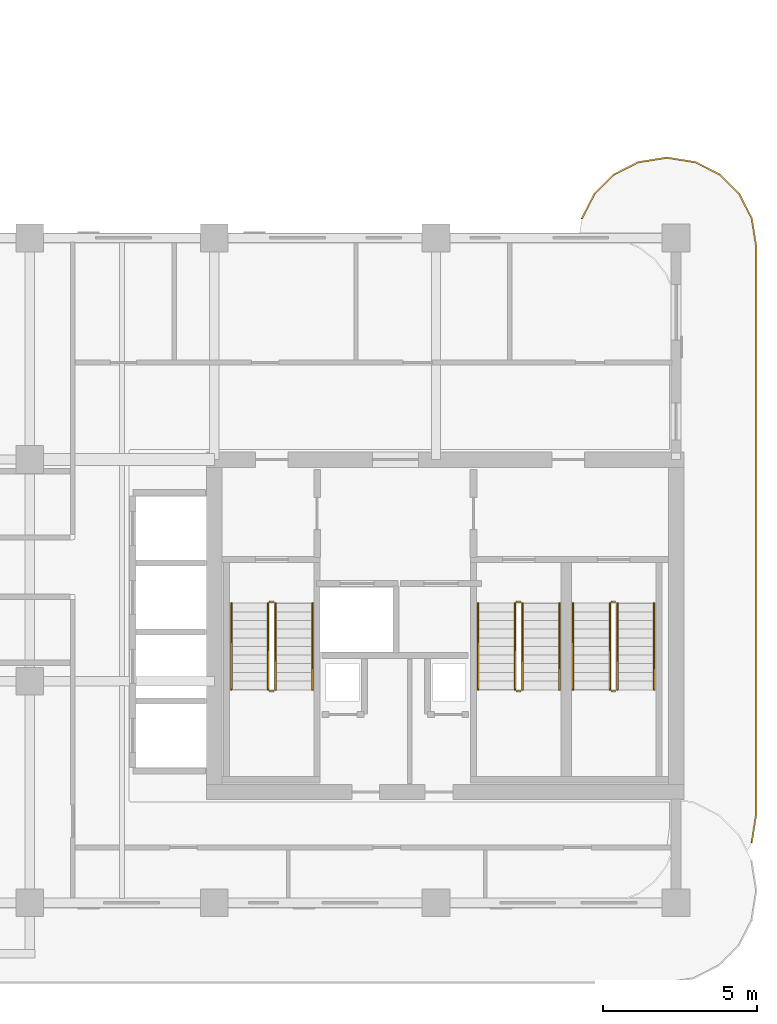
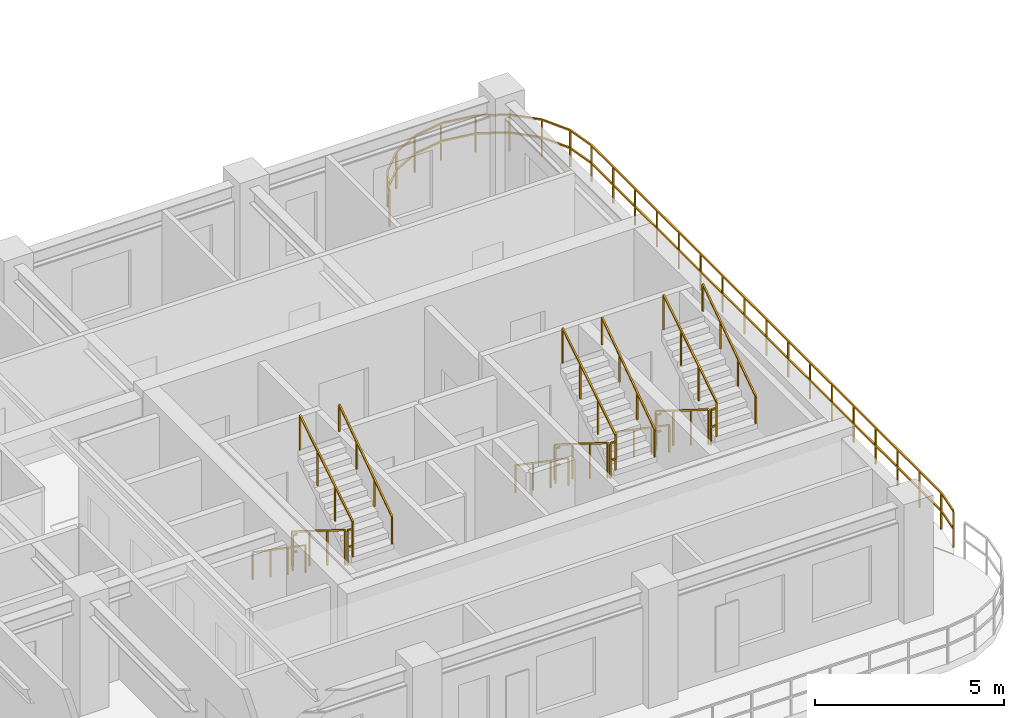
# One storey, part 13 of 14: 19 railings.
"""IFC4 building model written with IfcOpenShell, lengths in metres."""

from ifc_helpers import new_model, si_unit, derived_unit, direction, frame, origin, origin_2d, place, context, subcontext, project, spatial, rectangle, extrude, material, type_object, element, save


model = new_model("IFC4")

# Units and contexts
model_context = context("Model", 3, precision=1e-05, world=origin(), true_north=direction((0.0, 1.0)))
body_context = subcontext(model_context, "Body", "Model", "MODEL_VIEW")
ifc_project = project(units=[si_unit("LENGTHUNIT", "METRE"), si_unit("AREAUNIT", "SQUARE_METRE"), si_unit("VOLUMEUNIT", "CUBIC_METRE"), si_unit("PLANEANGLEUNIT", "RADIAN"), si_unit("MASSUNIT", "GRAM", prefix="KILO"), si_unit("THERMODYNAMICTEMPERATUREUNIT", "KELVIN"), si_unit("POWERUNIT", "WATT"), derived_unit("THERMALTRANSMITTANCEUNIT", [(si_unit("POWERUNIT", "WATT"), 1), (si_unit("AREAUNIT", "SQUARE_METRE"), -1), (si_unit("THERMODYNAMICTEMPERATUREUNIT", "KELVIN"), -1)])], contexts=[model_context])

# Site, building, storey
site_placement = place(None, origin())
site = spatial("IfcSite", under=ifc_project, at=site_placement, CompositionType="ELEMENT")
building_placement = place(site_placement, origin())
building = spatial("IfcBuilding", under=site, at=building_placement, Name="Zahravan Archway Hotel and Residences", CompositionType="ELEMENT")
storey_placement = place(building_placement, frame((0.0, 0.0, 209.60009765625)))
storey = spatial("IfcBuildingStorey", under=building, at=storey_placement, Name="L52", CompositionType="ELEMENT", Elevation=209.60009765625)

# Railings
ifc_material_1 = material(Name="Bronze & Laminated Glass Balustrade", Category="glass")
railing_type_1 = type_object("IfcRailingType", Name="RL-BAL-1200", PredefinedType="BALUSTRADE", material=ifc_material_1)
railing_1_placement = place(storey_placement, frame((46.739501953125, 22.230712890625, 0.0)))
element("IfcRailing", 1, at=railing_1_placement, inside=storey, type_object=railing_type_1, Name="L52 Balustrade RL-SLB-BAL-L52-EA-1", PredefinedType="BALUSTRADE", context=body_context, shape_type="SweptSolid", body=[
    extrude(rectangle(XDim=0.048095703125, YDim=0.048095703125, at=origin_2d()), frame((0.0, 0.0, 1.17578125), z_axis=(0.453991409995, 0.891006060389, 0.0), x_axis=(-0.891006060389, 0.453991409995, 0.0)), (0.0, 0.0, 1.0), 0.8916015625),
    extrude(rectangle(XDim=0.048095703125, YDim=0.048095703125, at=origin_2d()), frame((0.0, 0.0, 0.60009765625), z_axis=(0.453991409995, 0.891006060389, 0.0), x_axis=(-0.891006060389, 0.453991409995, 0.0)), (0.0, 0.0, 1.0), 0.8916015625),
    extrude(rectangle(XDim=0.048095703125, YDim=0.048095703125, at=origin_2d()), frame((0.40478515625, 0.79443359375, 1.17578125), z_axis=(0.707106781187, 0.707106781187, 0.0), x_axis=(-0.707106781187, 0.707106781187, 0.0)), (0.0, 0.0, 1.0), 0.891845703125),
    extrude(rectangle(XDim=0.048095703125, YDim=0.048095703125, at=origin_2d()), frame((0.40478515625, 0.79443359375, 0.60009765625), z_axis=(0.707106781187, 0.707106781187, 0.0), x_axis=(-0.707106781187, 0.707106781187, 0.0)), (0.0, 0.0, 1.0), 0.891845703125),
    extrude(rectangle(XDim=0.048095703125, YDim=0.048095703125, at=origin_2d()), frame((1.035400390625, 1.425048828125, 1.17578125), z_axis=(0.891006060389, 0.453991409995, 0.0), x_axis=(-0.453991409995, 0.891006060389, 0.0)), (0.0, 0.0, 1.0), 0.8916015625),
    extrude(rectangle(XDim=0.048095703125, YDim=0.048095703125, at=origin_2d()), frame((1.035400390625, 1.425048828125, 0.60009765625), z_axis=(0.891006060389, 0.453991409995, 0.0), x_axis=(-0.453991409995, 0.891006060389, 0.0)), (0.0, 0.0, 1.0), 0.8916015625),
    extrude(rectangle(XDim=0.048095703125, YDim=0.048095703125, at=origin_2d()), frame((1.829833984375, 1.829833984375, 1.17578125), z_axis=(0.987700720307, 0.156356282588, 0.0), x_axis=(-0.156356282588, 0.987700720307, 0.0)), (0.0, 0.0, 1.0), 0.8916015625),
    extrude(rectangle(XDim=0.048095703125, YDim=0.048095703125, at=origin_2d()), frame((1.829833984375, 1.829833984375, 0.60009765625), z_axis=(0.987700720307, 0.156356282588, 0.0), x_axis=(-0.156356282588, 0.987700720307, 0.0)), (0.0, 0.0, 1.0), 0.8916015625),
    extrude(rectangle(XDim=0.048095703125, YDim=0.048095703125, at=origin_2d()), frame((2.71044921875, 1.96923828125, 1.17578125), z_axis=(1.0, 0.0, 0.0), x_axis=(0.0, 1.0, 0.0)), (0.0, 0.0, 1.0), 0.10009765625),
    extrude(rectangle(XDim=0.048095703125, YDim=0.048095703125, at=origin_2d()), frame((2.71044921875, 1.96923828125, 0.60009765625), z_axis=(1.0, 0.0, 0.0), x_axis=(0.0, 1.0, 0.0)), (0.0, 0.0, 1.0), 0.10009765625),
    extrude(rectangle(XDim=0.048095703125, YDim=0.048095703125, at=origin_2d()), frame((2.810546875, 1.96923828125, 1.17578125), z_axis=(0.987700720307, -0.156356282588, 0.0), x_axis=(0.156356282588, 0.987700720307, 0.0)), (0.0, 0.0, 1.0), 0.8916015625),
    extrude(rectangle(XDim=0.048095703125, YDim=0.048095703125, at=origin_2d()), frame((2.810546875, 1.96923828125, 0.60009765625), z_axis=(0.987700720307, -0.156356282588, 0.0), x_axis=(0.156356282588, 0.987700720307, 0.0)), (0.0, 0.0, 1.0), 0.8916015625),
    extrude(rectangle(XDim=0.048095703125, YDim=0.048095703125, at=origin_2d()), frame((3.691162109375, 1.829833984375, 1.17578125), z_axis=(0.891006060389, -0.453991409995, 0.0), x_axis=(0.453991409995, 0.891006060389, 0.0)), (0.0, 0.0, 1.0), 0.8916015625),
    extrude(rectangle(XDim=0.048095703125, YDim=0.048095703125, at=origin_2d()), frame((3.691162109375, 1.829833984375, 0.60009765625), z_axis=(0.891006060389, -0.453991409995, 0.0), x_axis=(0.453991409995, 0.891006060389, 0.0)), (0.0, 0.0, 1.0), 0.8916015625),
    extrude(rectangle(XDim=0.048095703125, YDim=0.048095703125, at=origin_2d()), frame((4.485595703125, 1.425048828125, 1.17578125), z_axis=(0.707106781187, -0.707106781187, 0.0), x_axis=(0.707106781187, 0.707106781187, 0.0)), (0.0, 0.0, 1.0), 0.891845703125),
    extrude(rectangle(XDim=0.048095703125, YDim=0.048095703125, at=origin_2d()), frame((4.485595703125, 1.425048828125, 0.60009765625), z_axis=(0.707106781187, -0.707106781187, 0.0), x_axis=(0.707106781187, 0.707106781187, 0.0)), (0.0, 0.0, 1.0), 0.891845703125),
    extrude(rectangle(XDim=0.048095703125, YDim=0.048095703125, at=origin_2d()), frame((5.1162109375, 0.79443359375, 1.17578125), z_axis=(0.453991409995, -0.891006060389, 0.0), x_axis=(0.891006060389, 0.453991409995, 0.0)), (0.0, 0.0, 1.0), 0.8916015625),
    extrude(rectangle(XDim=0.048095703125, YDim=0.048095703125, at=origin_2d()), frame((5.1162109375, 0.79443359375, 0.60009765625), z_axis=(0.453991409995, -0.891006060389, 0.0), x_axis=(0.891006060389, 0.453991409995, 0.0)), (0.0, 0.0, 1.0), 0.8916015625),
    extrude(rectangle(XDim=0.048095703125, YDim=0.048095703125, at=origin_2d()), frame((5.52099609375, 0.0, 1.17578125), z_axis=(0.156356282588, -0.987700720307, 0.0), x_axis=(0.987700720307, 0.156356282588, 0.0)), (0.0, 0.0, 1.0), 0.8916015625),
    extrude(rectangle(XDim=0.048095703125, YDim=0.048095703125, at=origin_2d()), frame((5.52099609375, 0.0, 0.60009765625), z_axis=(0.156356282588, -0.987700720307, 0.0), x_axis=(0.987700720307, 0.156356282588, 0.0)), (0.0, 0.0, 1.0), 0.8916015625),
    extrude(rectangle(XDim=0.048095703125, YDim=0.048095703125, at=origin_2d()), frame((5.660400390625, -0.880615234375, 1.17578125), z_axis=(0.0, -1.0, 0.0), x_axis=(1.0, 0.0, 0.0)), (0.0, 0.0, 1.0), 18.5),
    extrude(rectangle(XDim=0.048095703125, YDim=0.048095703125, at=origin_2d()), frame((5.660400390625, -0.880615234375, 0.60009765625), z_axis=(0.0, -1.0, 0.0), x_axis=(1.0, 0.0, 0.0)), (0.0, 0.0, 1.0), 18.5),
    extrude(rectangle(XDim=0.048095703125, YDim=0.048095703125, at=origin_2d()), frame((5.660400390625, -19.380615234375, 1.17578125), z_axis=(-0.156314005608, -0.987707411965, 0.0), x_axis=(0.987707411965, -0.156314005608, 0.0)), (0.0, 0.0, 1.0), 0.891845703125),
    extrude(rectangle(XDim=0.048095703125, YDim=0.048095703125, at=origin_2d()), frame((5.660400390625, -19.380615234375, 0.60009765625), z_axis=(-0.156314005608, -0.987707411965, 0.0), x_axis=(0.987707411965, -0.156314005608, 0.0)), (0.0, 0.0, 1.0), 0.891845703125),
    extrude(rectangle(XDim=0.0419921875, YDim=0.0419921875, at=origin_2d()), origin(), (0.0, 0.0, 1.0), 1.15185546875),
    extrude(rectangle(XDim=0.0419921875, YDim=0.0419921875, at=origin_2d()), frame((0.40478515625, 0.79443359375, 0.0)), (0.0, 0.0, 1.0), 1.15185546875),
    extrude(rectangle(XDim=0.0419921875, YDim=0.0419921875, at=origin_2d()), frame((1.035400390625, 1.425048828125, 0.0)), (0.0, 0.0, 1.0), 1.15185546875),
    extrude(rectangle(XDim=0.0419921875, YDim=0.0419921875, at=origin_2d()), frame((1.829833984375, 1.829833984375, 0.0)), (0.0, 0.0, 1.0), 1.15185546875),
    extrude(rectangle(XDim=0.0419921875, YDim=0.0419921875, at=origin_2d()), frame((2.71044921875, 1.96923828125, 0.0)), (0.0, 0.0, 1.0), 1.15185546875),
    extrude(rectangle(XDim=0.0419921875, YDim=0.0419921875, at=origin_2d()), frame((3.691162109375, 1.829833984375, 0.0)), (0.0, 0.0, 1.0), 1.15185546875),
    extrude(rectangle(XDim=0.0419921875, YDim=0.0419921875, at=origin_2d()), frame((4.485595703125, 1.425048828125, 0.0)), (0.0, 0.0, 1.0), 1.15185546875),
    extrude(rectangle(XDim=0.0419921875, YDim=0.0419921875, at=origin_2d()), frame((5.1162109375, 0.79443359375, 0.0)), (0.0, 0.0, 1.0), 1.15185546875),
    extrude(rectangle(XDim=0.0419921875, YDim=0.0419921875, at=origin_2d()), frame((5.52099609375, 0.0, 0.0)), (0.0, 0.0, 1.0), 1.15185546875),
    extrude(rectangle(XDim=0.0419921875, YDim=0.0419921875, at=origin_2d()), frame((5.660400390625, -0.880615234375, 0.0)), (0.0, 0.0, 1.0), 1.15185546875),
    extrude(rectangle(XDim=0.0419921875, YDim=0.0419921875, at=origin_2d()), frame((5.660400390625, -2.036865234375, 0.0)), (0.0, 0.0, 1.0), 1.15185546875),
    extrude(rectangle(XDim=0.0419921875, YDim=0.0419921875, at=origin_2d()), frame((5.660400390625, -3.193115234375, 0.0)), (0.0, 0.0, 1.0), 1.15185546875),
    extrude(rectangle(XDim=0.0419921875, YDim=0.0419921875, at=origin_2d()), frame((5.660400390625, -4.349365234375, 0.0)), (0.0, 0.0, 1.0), 1.15185546875),
    extrude(rectangle(XDim=0.0419921875, YDim=0.0419921875, at=origin_2d()), frame((5.660400390625, -5.505615234375, 0.0)), (0.0, 0.0, 1.0), 1.15185546875),
    extrude(rectangle(XDim=0.0419921875, YDim=0.0419921875, at=origin_2d()), frame((5.660400390625, -6.661865234375, 0.0)), (0.0, 0.0, 1.0), 1.15185546875),
    extrude(rectangle(XDim=0.0419921875, YDim=0.0419921875, at=origin_2d()), frame((5.660400390625, -7.818115234375, 0.0)), (0.0, 0.0, 1.0), 1.15185546875),
    extrude(rectangle(XDim=0.0419921875, YDim=0.0419921875, at=origin_2d()), frame((5.660400390625, -8.974365234375, 0.0)), (0.0, 0.0, 1.0), 1.15185546875),
    extrude(rectangle(XDim=0.0419921875, YDim=0.0419921875, at=origin_2d()), frame((5.660400390625, -10.130615234375, 0.0)), (0.0, 0.0, 1.0), 1.15185546875),
    extrude(rectangle(XDim=0.0419921875, YDim=0.0419921875, at=origin_2d()), frame((5.660400390625, -11.286865234375, 0.0)), (0.0, 0.0, 1.0), 1.15185546875),
    extrude(rectangle(XDim=0.0419921875, YDim=0.0419921875, at=origin_2d()), frame((5.660400390625, -12.443115234375, 0.0)), (0.0, 0.0, 1.0), 1.15185546875),
    extrude(rectangle(XDim=0.0419921875, YDim=0.0419921875, at=origin_2d()), frame((5.660400390625, -13.599365234375, 0.0)), (0.0, 0.0, 1.0), 1.15185546875),
    extrude(rectangle(XDim=0.0419921875, YDim=0.0419921875, at=origin_2d()), frame((5.660400390625, -14.755615234375, 0.0)), (0.0, 0.0, 1.0), 1.15185546875),
    extrude(rectangle(XDim=0.0419921875, YDim=0.0419921875, at=origin_2d()), frame((5.660400390625, -15.911865234375, 0.0)), (0.0, 0.0, 1.0), 1.15185546875),
    extrude(rectangle(XDim=0.0419921875, YDim=0.0419921875, at=origin_2d()), frame((5.660400390625, -17.068115234375, 0.0)), (0.0, 0.0, 1.0), 1.15185546875),
    extrude(rectangle(XDim=0.0419921875, YDim=0.0419921875, at=origin_2d()), frame((5.660400390625, -18.224365234375, 0.0)), (0.0, 0.0, 1.0), 1.15185546875),
    extrude(rectangle(XDim=0.0419921875, YDim=0.0419921875, at=origin_2d()), frame((5.660400390625, -19.380615234375, 0.0)), (0.0, 0.0, 1.0), 1.15185546875),
    extrude(rectangle(XDim=0.0419921875, YDim=0.0419921875, at=origin_2d()), frame((5.52099609375, -20.261474609375, 0.0)), (0.0, 0.0, 1.0), 1.15185546875),
])
ifc_material_2 = material(Name="Painted Tubular Steel", Category="steel")
railing_type_2 = type_object("IfcRailingType", Name="RL-STG-1150", PredefinedType="GUARDRAIL", material=ifc_material_2)
railing_2_placement = place(storey_placement, frame((36.550048828125, 9.72998046875, 0.1748046875)))
element("IfcRailing", 2, at=railing_2_placement, inside=storey, type_object=railing_type_2, Name="L52 ST-A1 stair guard 1", PredefinedType="GUARDRAIL", context=body_context, shape_type="SweptSolid", body=[
    extrude(rectangle(XDim=0.048095703125, YDim=0.048095703125, at=origin_2d()), frame((0.0, 0.0, 1.1259765625), z_axis=(0.0, -0.848002457836, 0.529992293815), x_axis=(1.0, 0.0, 0.0)), (0.0, 0.0, 1.0), 3.302001953125),
    extrude(rectangle(XDim=0.0419921875, YDim=0.0419921875, at=origin_2d()), origin(), (0.0, 0.0, 1.0), 1.101806640625),
    extrude(rectangle(XDim=0.0419921875, YDim=0.0419921875, at=origin_2d()), frame((0.0, -0.933349609375, 0.583251953125)), (0.0, 0.0, 1.0), 1.101806640625),
    extrude(rectangle(XDim=0.0419921875, YDim=0.0419921875, at=origin_2d()), frame((0.0, -1.86669921875, 1.166748046875)), (0.0, 0.0, 1.0), 1.101806640625),
    extrude(rectangle(XDim=0.0419921875, YDim=0.0419921875, at=origin_2d()), frame((0.0, -2.800048828125, 1.75)), (0.0, 0.0, 1.0), 1.101806640625),
])
railing_3_placement = place(storey_placement, frame((36.60009765625, 6.8798828125, 1.9248046875)))
element("IfcRailing", 3, at=railing_3_placement, inside=storey, type_object=railing_type_2, Name="L52 ST-A1 stair guard 2", PredefinedType="GUARDRAIL", context=body_context, shape_type="SweptSolid", body=[
    extrude(rectangle(XDim=0.048095703125, YDim=0.048095703125, at=origin_2d()), frame((0.0, 0.0, 1.1259765625), z_axis=(1.0, 0.0, 0.0), x_axis=(0.0, 1.0, 0.0)), (0.0, 0.0, 1.0), 0.139892578125),
    extrude(rectangle(XDim=0.048095703125, YDim=0.048095703125, at=origin_2d()), frame((0.0, 0.0, 0.574951171875), z_axis=(1.0, 0.0, 0.0), x_axis=(0.0, 1.0, 0.0)), (0.0, 0.0, 1.0), 0.139892578125),
    extrude(rectangle(XDim=0.0419921875, YDim=0.0419921875, at=origin_2d()), origin(), (0.0, 0.0, 1.0), 1.101806640625),
])
railing_4_placement = place(storey_placement, frame((36.7900390625, 6.929931640625, 2.099853515625)))
element("IfcRailing", 4, at=railing_4_placement, inside=storey, type_object=railing_type_2, Name="L52 ST-A1 stair guard 3", PredefinedType="GUARDRAIL", context=body_context, shape_type="SweptSolid", body=[
    extrude(rectangle(XDim=0.048095703125, YDim=0.048095703125, at=origin_2d()), frame((0.0, 0.0, 1.1259765625), z_axis=(0.0, 0.848002457836, 0.529992293815), x_axis=(-1.0, 0.0, 0.0)), (0.0, 0.0, 1.0), 3.302001953125),
    extrude(rectangle(XDim=0.0419921875, YDim=0.0419921875, at=origin_2d()), origin(), (0.0, 0.0, 1.0), 1.101806640625),
    extrude(rectangle(XDim=0.0419921875, YDim=0.0419921875, at=origin_2d()), frame((0.0, 0.933349609375, 0.583251953125)), (0.0, 0.0, 1.0), 1.101806640625),
    extrude(rectangle(XDim=0.0419921875, YDim=0.0419921875, at=origin_2d()), frame((0.0, 1.86669921875, 1.166748046875)), (0.0, 0.0, 1.0), 1.101806640625),
    extrude(rectangle(XDim=0.0419921875, YDim=0.0419921875, at=origin_2d()), frame((0.0, 2.800048828125, 1.75)), (0.0, 0.0, 1.0), 1.101806640625),
])
railing_5_placement = place(storey_placement, frame((36.60009765625, 9.780029296875, 0.0)))
element("IfcRailing", 5, at=railing_5_placement, inside=storey, type_object=railing_type_2, Name="L52 ST-A1 stair guard 4", PredefinedType="GUARDRAIL", context=body_context, shape_type="SweptSolid", body=[
    extrude(rectangle(XDim=0.048095703125, YDim=0.048095703125, at=origin_2d()), frame((0.0, 0.0, 1.1259765625), z_axis=(1.0, 0.0, 0.0), x_axis=(0.0, 1.0, 0.0)), (0.0, 0.0, 1.0), 0.139892578125),
    extrude(rectangle(XDim=0.048095703125, YDim=0.048095703125, at=origin_2d()), frame((0.0, 0.0, 0.574951171875), z_axis=(1.0, 0.0, 0.0), x_axis=(0.0, 1.0, 0.0)), (0.0, 0.0, 1.0), 0.139892578125),
    extrude(rectangle(XDim=0.0419921875, YDim=0.0419921875, at=origin_2d()), origin(), (0.0, 0.0, 1.0), 1.101806640625),
])
railing_6_placement = place(storey_placement, frame((44.570068359375, 9.72998046875, 0.1748046875)))
element("IfcRailing", 6, at=railing_6_placement, inside=storey, type_object=railing_type_2, Name="L52 ST-A2 stair guard 1", PredefinedType="GUARDRAIL", context=body_context, shape_type="SweptSolid", body=[
    extrude(rectangle(XDim=0.048095703125, YDim=0.048095703125, at=origin_2d()), frame((0.0, 0.0, 1.1259765625), z_axis=(0.0, -0.848002457836, 0.529992293815), x_axis=(1.0, 0.0, 0.0)), (0.0, 0.0, 1.0), 3.302001953125),
    extrude(rectangle(XDim=0.0419921875, YDim=0.0419921875, at=origin_2d()), origin(), (0.0, 0.0, 1.0), 1.101806640625),
    extrude(rectangle(XDim=0.0419921875, YDim=0.0419921875, at=origin_2d()), frame((0.0, -0.933349609375, 0.583251953125)), (0.0, 0.0, 1.0), 1.101806640625),
    extrude(rectangle(XDim=0.0419921875, YDim=0.0419921875, at=origin_2d()), frame((0.0, -1.86669921875, 1.166748046875)), (0.0, 0.0, 1.0), 1.101806640625),
    extrude(rectangle(XDim=0.0419921875, YDim=0.0419921875, at=origin_2d()), frame((0.0, -2.800048828125, 1.75)), (0.0, 0.0, 1.0), 1.101806640625),
])
railing_7_placement = place(storey_placement, frame((44.6201171875, 6.8798828125, 1.9248046875)))
element("IfcRailing", 7, at=railing_7_placement, inside=storey, type_object=railing_type_2, Name="L52 ST-A2 stair guard 2", PredefinedType="GUARDRAIL", context=body_context, shape_type="SweptSolid", body=[
    extrude(rectangle(XDim=0.048095703125, YDim=0.048095703125, at=origin_2d()), frame((0.0, 0.0, 1.1259765625), z_axis=(1.0, 0.0, 0.0), x_axis=(0.0, 1.0, 0.0)), (0.0, 0.0, 1.0), 0.139892578125),
    extrude(rectangle(XDim=0.048095703125, YDim=0.048095703125, at=origin_2d()), frame((0.0, 0.0, 0.574951171875), z_axis=(1.0, 0.0, 0.0), x_axis=(0.0, 1.0, 0.0)), (0.0, 0.0, 1.0), 0.139892578125),
    extrude(rectangle(XDim=0.0419921875, YDim=0.0419921875, at=origin_2d()), origin(), (0.0, 0.0, 1.0), 1.101806640625),
])
railing_8_placement = place(storey_placement, frame((44.81005859375, 6.929931640625, 2.099853515625)))
element("IfcRailing", 8, at=railing_8_placement, inside=storey, type_object=railing_type_2, Name="L52 ST-A2 stair guard 3", PredefinedType="GUARDRAIL", context=body_context, shape_type="SweptSolid", body=[
    extrude(rectangle(XDim=0.048095703125, YDim=0.048095703125, at=origin_2d()), frame((0.0, 0.0, 1.1259765625), z_axis=(0.0, 0.848002457836, 0.529992293815), x_axis=(-1.0, 0.0, 0.0)), (0.0, 0.0, 1.0), 3.302001953125),
    extrude(rectangle(XDim=0.0419921875, YDim=0.0419921875, at=origin_2d()), origin(), (0.0, 0.0, 1.0), 1.101806640625),
    extrude(rectangle(XDim=0.0419921875, YDim=0.0419921875, at=origin_2d()), frame((0.0, 0.933349609375, 0.583251953125)), (0.0, 0.0, 1.0), 1.101806640625),
    extrude(rectangle(XDim=0.0419921875, YDim=0.0419921875, at=origin_2d()), frame((0.0, 1.86669921875, 1.166748046875)), (0.0, 0.0, 1.0), 1.101806640625),
    extrude(rectangle(XDim=0.0419921875, YDim=0.0419921875, at=origin_2d()), frame((0.0, 2.800048828125, 1.75)), (0.0, 0.0, 1.0), 1.101806640625),
])
railing_9_placement = place(storey_placement, frame((44.6201171875, 9.780029296875, 0.0)))
element("IfcRailing", 9, at=railing_9_placement, inside=storey, type_object=railing_type_2, Name="L52 ST-A2 stair guard 4", PredefinedType="GUARDRAIL", context=body_context, shape_type="SweptSolid", body=[
    extrude(rectangle(XDim=0.048095703125, YDim=0.048095703125, at=origin_2d()), frame((0.0, 0.0, 1.1259765625), z_axis=(1.0, 0.0, 0.0), x_axis=(0.0, 1.0, 0.0)), (0.0, 0.0, 1.0), 0.139892578125),
    extrude(rectangle(XDim=0.048095703125, YDim=0.048095703125, at=origin_2d()), frame((0.0, 0.0, 0.574951171875), z_axis=(1.0, 0.0, 0.0), x_axis=(0.0, 1.0, 0.0)), (0.0, 0.0, 1.0), 0.139892578125),
    extrude(rectangle(XDim=0.0419921875, YDim=0.0419921875, at=origin_2d()), origin(), (0.0, 0.0, 1.0), 1.101806640625),
])
railing_10_placement = place(storey_placement, frame((47.64990234375, 9.72998046875, 0.1748046875)))
element("IfcRailing", 10, at=railing_10_placement, inside=storey, type_object=railing_type_2, Name="L52 ST-A3 stair guard 1", PredefinedType="GUARDRAIL", context=body_context, shape_type="SweptSolid", body=[
    extrude(rectangle(XDim=0.048095703125, YDim=0.048095703125, at=origin_2d()), frame((0.0, 0.0, 1.1259765625), z_axis=(0.0, -0.848002457836, 0.529992293815), x_axis=(1.0, 0.0, 0.0)), (0.0, 0.0, 1.0), 3.302001953125),
    extrude(rectangle(XDim=0.0419921875, YDim=0.0419921875, at=origin_2d()), origin(), (0.0, 0.0, 1.0), 1.101806640625),
    extrude(rectangle(XDim=0.0419921875, YDim=0.0419921875, at=origin_2d()), frame((0.0, -0.933349609375, 0.583251953125)), (0.0, 0.0, 1.0), 1.101806640625),
    extrude(rectangle(XDim=0.0419921875, YDim=0.0419921875, at=origin_2d()), frame((0.0, -1.86669921875, 1.166748046875)), (0.0, 0.0, 1.0), 1.101806640625),
    extrude(rectangle(XDim=0.0419921875, YDim=0.0419921875, at=origin_2d()), frame((0.0, -2.800048828125, 1.75)), (0.0, 0.0, 1.0), 1.101806640625),
])
railing_11_placement = place(storey_placement, frame((47.699951171875, 6.8798828125, 1.9248046875)))
element("IfcRailing", 11, at=railing_11_placement, inside=storey, type_object=railing_type_2, Name="L52 ST-A3 stair guard 2", PredefinedType="GUARDRAIL", context=body_context, shape_type="SweptSolid", body=[
    extrude(rectangle(XDim=0.048095703125, YDim=0.048095703125, at=origin_2d()), frame((0.0, 0.0, 1.1259765625), z_axis=(1.0, 0.0, 0.0), x_axis=(0.0, 1.0, 0.0)), (0.0, 0.0, 1.0), 0.14013671875),
    extrude(rectangle(XDim=0.048095703125, YDim=0.048095703125, at=origin_2d()), frame((0.0, 0.0, 0.574951171875), z_axis=(1.0, 0.0, 0.0), x_axis=(0.0, 1.0, 0.0)), (0.0, 0.0, 1.0), 0.14013671875),
    extrude(rectangle(XDim=0.0419921875, YDim=0.0419921875, at=origin_2d()), origin(), (0.0, 0.0, 1.0), 1.101806640625),
])
railing_12_placement = place(storey_placement, frame((47.889892578125, 6.929931640625, 2.099853515625)))
element("IfcRailing", 12, at=railing_12_placement, inside=storey, type_object=railing_type_2, Name="L52 ST-A3 stair guard 3", PredefinedType="GUARDRAIL", context=body_context, shape_type="SweptSolid", body=[
    extrude(rectangle(XDim=0.048095703125, YDim=0.048095703125, at=origin_2d()), frame((0.0, 0.0, 1.1259765625), z_axis=(0.0, 0.848002457836, 0.529992293815), x_axis=(-1.0, 0.0, 0.0)), (0.0, 0.0, 1.0), 3.302001953125),
    extrude(rectangle(XDim=0.0419921875, YDim=0.0419921875, at=origin_2d()), origin(), (0.0, 0.0, 1.0), 1.101806640625),
    extrude(rectangle(XDim=0.0419921875, YDim=0.0419921875, at=origin_2d()), frame((0.0, 0.933349609375, 0.583251953125)), (0.0, 0.0, 1.0), 1.101806640625),
    extrude(rectangle(XDim=0.0419921875, YDim=0.0419921875, at=origin_2d()), frame((0.0, 1.86669921875, 1.166748046875)), (0.0, 0.0, 1.0), 1.101806640625),
    extrude(rectangle(XDim=0.0419921875, YDim=0.0419921875, at=origin_2d()), frame((0.0, 2.800048828125, 1.75)), (0.0, 0.0, 1.0), 1.101806640625),
])
railing_13_placement = place(storey_placement, frame((47.699951171875, 9.780029296875, 0.0)))
element("IfcRailing", 13, at=railing_13_placement, inside=storey, type_object=railing_type_2, Name="L52 ST-A3 stair guard 4", PredefinedType="GUARDRAIL", context=body_context, shape_type="SweptSolid", body=[
    extrude(rectangle(XDim=0.048095703125, YDim=0.048095703125, at=origin_2d()), frame((0.0, 0.0, 1.1259765625), z_axis=(1.0, 0.0, 0.0), x_axis=(0.0, 1.0, 0.0)), (0.0, 0.0, 1.0), 0.14013671875),
    extrude(rectangle(XDim=0.048095703125, YDim=0.048095703125, at=origin_2d()), frame((0.0, 0.0, 0.574951171875), z_axis=(1.0, 0.0, 0.0), x_axis=(0.0, 1.0, 0.0)), (0.0, 0.0, 1.0), 0.14013671875),
    extrude(rectangle(XDim=0.0419921875, YDim=0.0419921875, at=origin_2d()), origin(), (0.0, 0.0, 1.0), 1.101806640625),
])
ifc_material_3 = material(Name="Brushed Stainless Steel", Category="steel")
railing_type_3 = type_object("IfcRailingType", Name="RL-STH-900", PredefinedType="HANDRAIL", material=ifc_material_3)
railing_14_placement = place(storey_placement, frame((35.35009765625, 9.72998046875, 0.1748046875)))
element("IfcRailing", 14, at=railing_14_placement, inside=storey, type_object=railing_type_3, Name="L52 ST-A1 stair handrail 1", PredefinedType="HANDRAIL", context=body_context, shape_type="SweptSolid", body=[
    extrude(rectangle(XDim=0.048095703125, YDim=0.048095703125, at=origin_2d()), frame((0.0, 0.0, 0.8759765625), z_axis=(0.0, -0.824039827795, 0.566531872191), x_axis=(1.0, 0.0, 0.0)), (0.0, 0.0, 1.0), 3.39794921875),
    extrude(rectangle(XDim=0.0419921875, YDim=0.0419921875, at=origin_2d()), origin(), (0.0, 0.0, 1.0), 0.851806640625),
    extrude(rectangle(XDim=0.0419921875, YDim=0.0419921875, at=origin_2d()), frame((0.0, -0.933349609375, 0.6416015625)), (0.0, 0.0, 1.0), 0.851806640625),
    extrude(rectangle(XDim=0.0419921875, YDim=0.0419921875, at=origin_2d()), frame((0.0, -1.86669921875, 1.283447265625)), (0.0, 0.0, 1.0), 0.851806640625),
    extrude(rectangle(XDim=0.0419921875, YDim=0.0419921875, at=origin_2d()), frame((0.0, -2.800048828125, 1.925048828125)), (0.0, 0.0, 1.0), 0.851806640625),
])
railing_15_placement = place(storey_placement, frame((37.989990234375, 6.929931640625, 2.099853515625)))
element("IfcRailing", 15, at=railing_15_placement, inside=storey, type_object=railing_type_3, Name="L52 ST-A1 stair handrail 2", PredefinedType="HANDRAIL", context=body_context, shape_type="SweptSolid", body=[
    extrude(rectangle(XDim=0.048095703125, YDim=0.048095703125, at=origin_2d()), frame((0.0, 0.0, 0.8759765625), z_axis=(0.0, 0.824039827795, 0.566531872191), x_axis=(-1.0, 0.0, 0.0)), (0.0, 0.0, 1.0), 3.39794921875),
    extrude(rectangle(XDim=0.0419921875, YDim=0.0419921875, at=origin_2d()), origin(), (0.0, 0.0, 1.0), 0.851806640625),
    extrude(rectangle(XDim=0.0419921875, YDim=0.0419921875, at=origin_2d()), frame((0.0, 0.933349609375, 0.6416015625)), (0.0, 0.0, 1.0), 0.851806640625),
    extrude(rectangle(XDim=0.0419921875, YDim=0.0419921875, at=origin_2d()), frame((0.0, 1.86669921875, 1.283447265625)), (0.0, 0.0, 1.0), 0.851806640625),
    extrude(rectangle(XDim=0.0419921875, YDim=0.0419921875, at=origin_2d()), frame((0.0, 2.800048828125, 1.925048828125)), (0.0, 0.0, 1.0), 0.851806640625),
])
railing_16_placement = place(storey_placement, frame((43.3701171875, 9.72998046875, 0.1748046875)))
element("IfcRailing", 16, at=railing_16_placement, inside=storey, type_object=railing_type_3, Name="L52 ST-A2 stair handrail 1", PredefinedType="HANDRAIL", context=body_context, shape_type="SweptSolid", body=[
    extrude(rectangle(XDim=0.048095703125, YDim=0.048095703125, at=origin_2d()), frame((0.0, 0.0, 0.8759765625), z_axis=(0.0, -0.824039827795, 0.566531872191), x_axis=(1.0, 0.0, 0.0)), (0.0, 0.0, 1.0), 3.39794921875),
    extrude(rectangle(XDim=0.0419921875, YDim=0.0419921875, at=origin_2d()), origin(), (0.0, 0.0, 1.0), 0.851806640625),
    extrude(rectangle(XDim=0.0419921875, YDim=0.0419921875, at=origin_2d()), frame((0.0, -0.933349609375, 0.6416015625)), (0.0, 0.0, 1.0), 0.851806640625),
    extrude(rectangle(XDim=0.0419921875, YDim=0.0419921875, at=origin_2d()), frame((0.0, -1.86669921875, 1.283447265625)), (0.0, 0.0, 1.0), 0.851806640625),
    extrude(rectangle(XDim=0.0419921875, YDim=0.0419921875, at=origin_2d()), frame((0.0, -2.800048828125, 1.925048828125)), (0.0, 0.0, 1.0), 0.851806640625),
])
railing_17_placement = place(storey_placement, frame((46.010009765625, 6.929931640625, 2.099853515625)))
element("IfcRailing", 17, at=railing_17_placement, inside=storey, type_object=railing_type_3, Name="L52 ST-A2 stair handrail 2", PredefinedType="HANDRAIL", context=body_context, shape_type="SweptSolid", body=[
    extrude(rectangle(XDim=0.048095703125, YDim=0.048095703125, at=origin_2d()), frame((0.0, 0.0, 0.8759765625), z_axis=(0.0, 0.824039827795, 0.566531872191), x_axis=(-1.0, 0.0, 0.0)), (0.0, 0.0, 1.0), 3.39794921875),
    extrude(rectangle(XDim=0.0419921875, YDim=0.0419921875, at=origin_2d()), origin(), (0.0, 0.0, 1.0), 0.851806640625),
    extrude(rectangle(XDim=0.0419921875, YDim=0.0419921875, at=origin_2d()), frame((0.0, 0.933349609375, 0.6416015625)), (0.0, 0.0, 1.0), 0.851806640625),
    extrude(rectangle(XDim=0.0419921875, YDim=0.0419921875, at=origin_2d()), frame((0.0, 1.86669921875, 1.283447265625)), (0.0, 0.0, 1.0), 0.851806640625),
    extrude(rectangle(XDim=0.0419921875, YDim=0.0419921875, at=origin_2d()), frame((0.0, 2.800048828125, 1.925048828125)), (0.0, 0.0, 1.0), 0.851806640625),
])
railing_18_placement = place(storey_placement, frame((46.449951171875, 9.72998046875, 0.1748046875)))
element("IfcRailing", 18, at=railing_18_placement, inside=storey, type_object=railing_type_3, Name="L52 ST-A3 stair handrail 1", PredefinedType="HANDRAIL", context=body_context, shape_type="SweptSolid", body=[
    extrude(rectangle(XDim=0.048095703125, YDim=0.048095703125, at=origin_2d()), frame((0.0, 0.0, 0.8759765625), z_axis=(0.0, -0.824039827795, 0.566531872191), x_axis=(1.0, 0.0, 0.0)), (0.0, 0.0, 1.0), 3.39794921875),
    extrude(rectangle(XDim=0.0419921875, YDim=0.0419921875, at=origin_2d()), origin(), (0.0, 0.0, 1.0), 0.851806640625),
    extrude(rectangle(XDim=0.0419921875, YDim=0.0419921875, at=origin_2d()), frame((0.0, -0.933349609375, 0.6416015625)), (0.0, 0.0, 1.0), 0.851806640625),
    extrude(rectangle(XDim=0.0419921875, YDim=0.0419921875, at=origin_2d()), frame((0.0, -1.86669921875, 1.283447265625)), (0.0, 0.0, 1.0), 0.851806640625),
    extrude(rectangle(XDim=0.0419921875, YDim=0.0419921875, at=origin_2d()), frame((0.0, -2.800048828125, 1.925048828125)), (0.0, 0.0, 1.0), 0.851806640625),
])
railing_19_placement = place(storey_placement, frame((49.090087890625, 6.929931640625, 2.099853515625)))
element("IfcRailing", 19, at=railing_19_placement, inside=storey, type_object=railing_type_3, Name="L52 ST-A3 stair handrail 2", PredefinedType="HANDRAIL", context=body_context, shape_type="SweptSolid", body=[
    extrude(rectangle(XDim=0.048095703125, YDim=0.048095703125, at=origin_2d()), frame((0.0, 0.0, 0.8759765625), z_axis=(0.0, 0.824039827795, 0.566531872191), x_axis=(-1.0, 0.0, 0.0)), (0.0, 0.0, 1.0), 3.39794921875),
    extrude(rectangle(XDim=0.0419921875, YDim=0.0419921875, at=origin_2d()), origin(), (0.0, 0.0, 1.0), 0.851806640625),
    extrude(rectangle(XDim=0.0419921875, YDim=0.0419921875, at=origin_2d()), frame((0.0, 0.933349609375, 0.6416015625)), (0.0, 0.0, 1.0), 0.851806640625),
    extrude(rectangle(XDim=0.0419921875, YDim=0.0419921875, at=origin_2d()), frame((0.0, 1.86669921875, 1.283447265625)), (0.0, 0.0, 1.0), 0.851806640625),
    extrude(rectangle(XDim=0.0419921875, YDim=0.0419921875, at=origin_2d()), frame((0.0, 2.800048828125, 1.925048828125)), (0.0, 0.0, 1.0), 0.851806640625),
])

save(model, "model.ifc")
